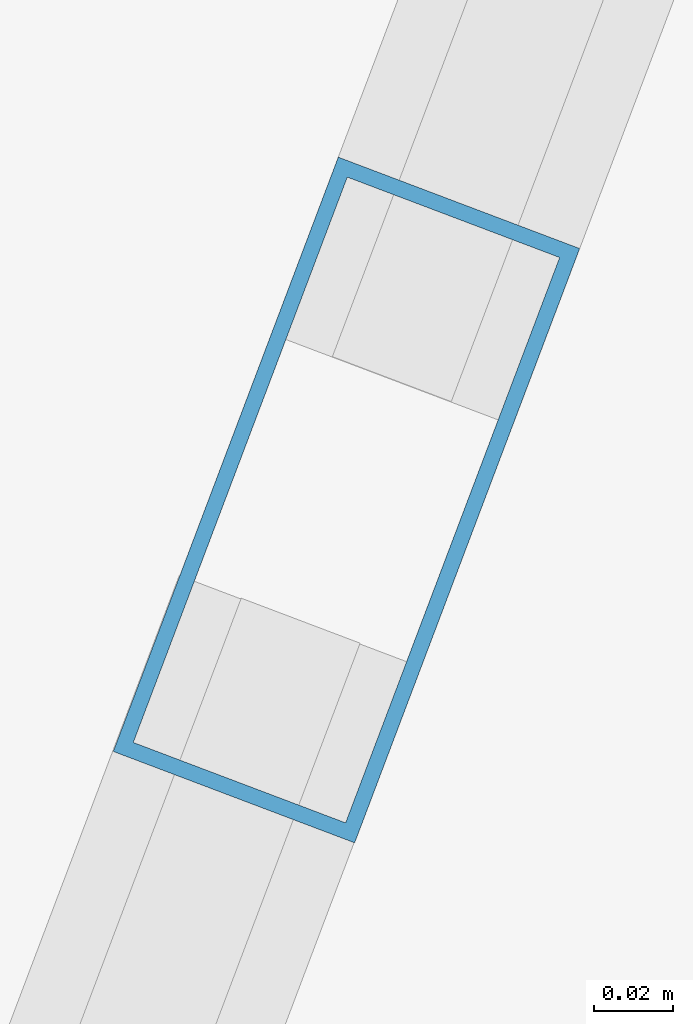
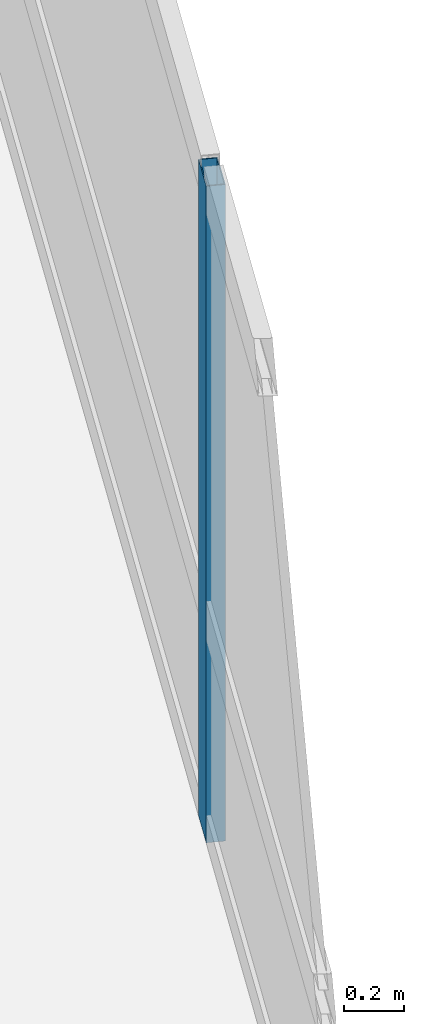
# One storey, part 14 of 25: 1 member, 1 element without a shape of its own.
"""IFC4 building model written with IfcOpenShell, lengths in metres."""

from ifc_helpers import new_model, si_unit, direction, frame, origin, origin_2d, place, context, subcontext, project, spatial, hollow_rectangle, extrude, material, layer, layer_set, material_profile, profile_set, type_object, element, aggregate, save


model = new_model("IFC4")

# Units and contexts
model_context = context("Model", 3, precision=1e-05, world=origin(), true_north=direction((0.0, 1.0)))
body_context = subcontext(model_context, "Body", "Model", "MODEL_VIEW")
ifc_project = project(units=[si_unit("LENGTHUNIT", "METRE"), si_unit("AREAUNIT", "SQUARE_METRE"), si_unit("VOLUMEUNIT", "CUBIC_METRE"), si_unit("PLANEANGLEUNIT", "RADIAN"), si_unit("MASSUNIT", "GRAM", prefix="KILO")], contexts=[model_context])

# Site, building, storey
site_placement = place(None, origin())
site = spatial("IfcSite", under=ifc_project, at=site_placement, CompositionType="ELEMENT")
building_placement = place(site_placement, origin())
building = spatial("IfcBuilding", under=site, at=building_placement, Name="Varnelok Gate Tower", CompositionType="ELEMENT")
storey_placement = place(building_placement, frame((0.0, 0.0, 113.199951171875)))
storey = spatial("IfcBuildingStorey", under=building, at=storey_placement, Name="L28", CompositionType="ELEMENT", Elevation=113.199951171875)

# Curtain wall, member
ifc_material = material(Name="Anodized Aluminum Alloy 6063-T6", Category="aluminium")
ifc_layer = layer(ifc_material, 0.179931640625)
ifc_layer_set = layer_set([ifc_layer], Name="Anodized Aluminum Alloy 6063-T6")
curtain_wall_type = type_object("IfcCurtainWallType", Name="CW3-HOTEL-VISION", PredefinedType="USERDEFINED", material=ifc_layer_set)
curtain_wall_placement = place(storey_placement, origin())
curtain_wall = element("IfcCurtainWall", 1, at=curtain_wall_placement, inside=storey, type_object=curtain_wall_type, Name="L28 East End Vision Curtain Wall", ObjectType="UNITISED CURTAIN WALL", PredefinedType="USERDEFINED")
ifc_material_profile = material_profile(ifc_material, hollow_rectangle(XDim=0.06494140625, YDim=0.159912109375, WallThickness=0.00390625, at=origin_2d()), Name="ALU160X65X4")
ifc_profile_set = profile_set([ifc_material_profile], Name="Anodized Aluminum Alloy 6063-T6")
member_type = type_object("IfcMemberType", Name="CW-MULL-160", PredefinedType="MULLION", material=ifc_profile_set)
member_placement = place(storey_placement, frame((77.8916015625, 22.26416015625, 0.0), z_axis=(0.0, 0.0, 1.0), x_axis=(0.935221323688, -0.354063660545, 0.0)))
member = element("IfcMember", 2, at=member_placement, type_object=member_type, Name="CW3 mullion 2", PredefinedType="MULLION", context=body_context, shape_type="SweptSolid", body=[
    extrude(hollow_rectangle(XDim=0.06494140625, YDim=0.159912109375, WallThickness=0.00390625, at=origin_2d()), origin(), (0.0, 0.0, 1.0), 2.66015625),
])
aggregate(curtain_wall, [member])

save(model, "model.ifc")
